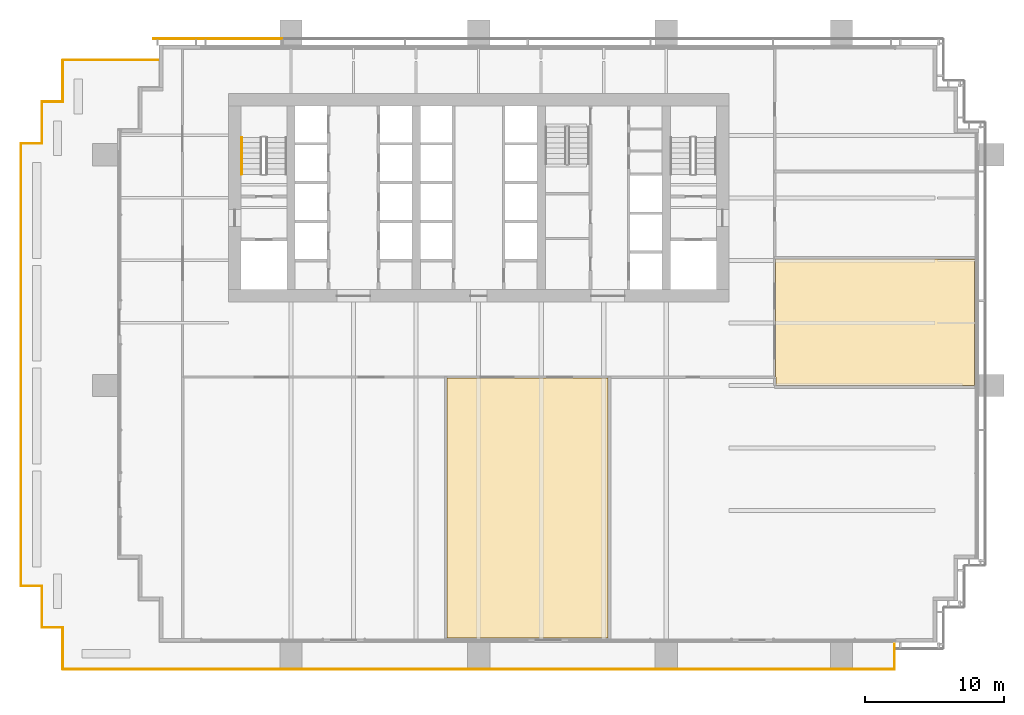
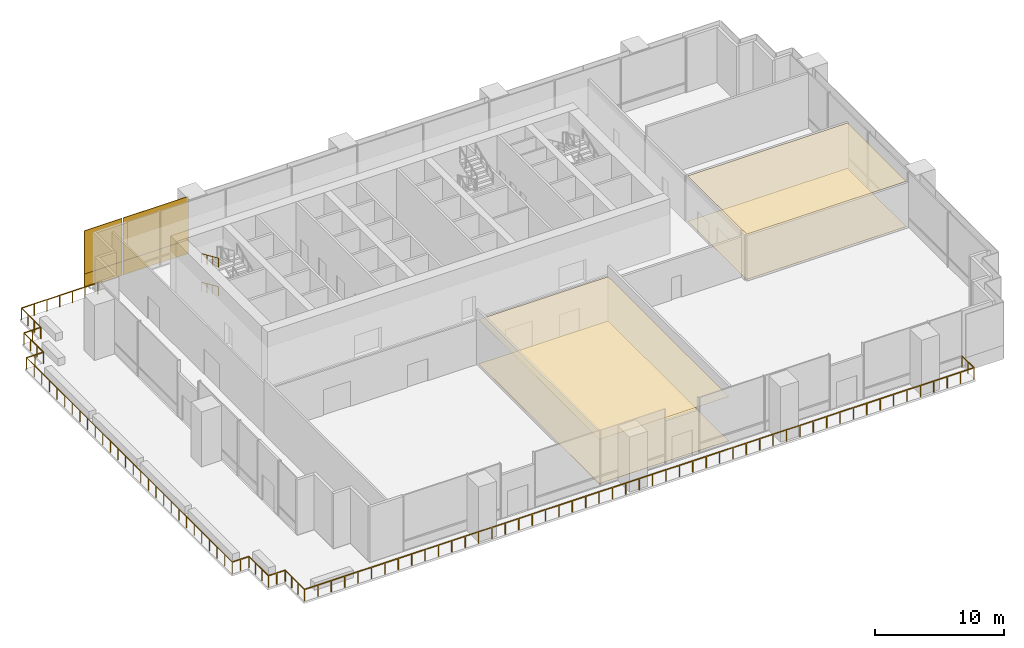
# One storey, part 11 of 15: 14 railings, 8 coverings.
"""IFC4 building model written with IfcOpenShell, lengths in metres."""

from ifc_helpers import new_model, si_unit, direction, frame, origin, origin_2d, place, context, subcontext, project, spatial, polyline, rectangle, outline, extrude, material, layer, layer_set, type_object, element, save


model = new_model("IFC4")

# Units and contexts
model_context = context("Model", 3, precision=1e-05, world=origin(), true_north=direction((0.0, 1.0)))
body_context = subcontext(model_context, "Body", "Model", "MODEL_VIEW")
ifc_project = project(units=[si_unit("LENGTHUNIT", "METRE"), si_unit("AREAUNIT", "SQUARE_METRE"), si_unit("VOLUMEUNIT", "CUBIC_METRE"), si_unit("PLANEANGLEUNIT", "RADIAN"), si_unit("MASSUNIT", "GRAM", prefix="KILO")], contexts=[model_context])

# Site, building, storey
site_placement = place(None, origin())
site = spatial("IfcSite", under=ifc_project, at=site_placement, CompositionType="ELEMENT")
building_placement = place(site_placement, origin())
building = spatial("IfcBuilding", under=site, at=building_placement, Name="Rattan Terrace Tower", CompositionType="ELEMENT")
storey_placement = place(building_placement, frame((0.0, 0.0, 74.300048828125)))
storey = spatial("IfcBuildingStorey", under=building, at=storey_placement, Name="L16", CompositionType="ELEMENT", Elevation=74.300048828125)

# Railings
ifc_material_1 = material(Name="Powder-coated steel handrail", Category="steel")
railing_type_1 = type_object("IfcRailingType", Name="Core stair handrail", PredefinedType="HANDRAIL", material=ifc_material_1)
for number, where, name in (
    (1, (-17.050048828125, 4.360107421875, 1.518798828125), "L16 S1 stair handrail 2"),
    (2, (-17.050048828125, 4.360107421875, 4.21875), "L16 S1 stair handrail 4"),
):
    element("IfcRailing", number, at=place(storey_placement, frame(where)), inside=storey, type_object=railing_type_1, Name=name, PredefinedType="HANDRAIL", context=body_context, shape_type="SweptSolid", body=[
        extrude(rectangle(XDim=0.048095703125, YDim=0.048095703125, at=origin_2d()), frame((0.0, 0.0, 0.8759765625), z_axis=(0.0, -0.913956766905, 0.405811567391), x_axis=(1.0, 0.0, 0.0)), (0.0, 0.0, 1.0), 2.91064453125),
        extrude(rectangle(XDim=0.0419921875, YDim=0.0419921875, at=origin_2d()), origin(), (0.0, 0.0, 1.0), 0.851806640625),
        extrude(rectangle(XDim=0.0419921875, YDim=0.0419921875, at=origin_2d()), frame((0.0, -0.88671875, 0.393798828125)), (0.0, 0.0, 1.0), 0.851806640625),
        extrude(rectangle(XDim=0.0419921875, YDim=0.0419921875, at=origin_2d()), frame((0.0, -1.7734375, 0.787353515625)), (0.0, 0.0, 1.0), 0.851806640625),
        extrude(rectangle(XDim=0.0419921875, YDim=0.0419921875, at=origin_2d()), frame((0.0, -2.66015625, 1.18115234375)), (0.0, 0.0, 1.0), 0.851806640625),
    ])
ifc_material_2 = material(Name="Stainless steel 316", Category="steel")
railing_type_2 = type_object("IfcRailingType", Name="Facade Guard 1100", PredefinedType="GUARDRAIL", material=ifc_material_2)
railing_1_placement = place(storey_placement, frame((29.919921875, -32.0849609375, 0.0)))
element("IfcRailing", 3, at=railing_1_placement, inside=storey, type_object=railing_type_2, Name="Terrace guard L16-1-1", PredefinedType="GUARDRAIL", context=body_context, shape_type="SweptSolid", body=[
    extrude(rectangle(XDim=0.048095703125, YDim=0.048095703125, at=origin_2d()), frame((0.0, 0.0, 1.076171875), z_axis=(0.0, -1.0, 0.0), x_axis=(1.0, 0.0, 0.0)), (0.0, 0.0, 1.0), 1.8349609375),
    extrude(rectangle(XDim=0.0419921875, YDim=0.0419921875, at=origin_2d()), origin(), (0.0, 0.0, 1.0), 1.052001953125),
    extrude(rectangle(XDim=0.0419921875, YDim=0.0419921875, at=origin_2d()), frame((0.0, -0.91748046875, 0.0)), (0.0, 0.0, 1.0), 1.052001953125),
])
railing_2_placement = place(storey_placement, frame((29.919921875, -33.919921875, 0.0)))
element("IfcRailing", 4, at=railing_2_placement, inside=storey, type_object=railing_type_2, Name="Terrace guard L16-1-2", PredefinedType="GUARDRAIL", context=body_context, shape_type="SweptSolid", body=[
    extrude(rectangle(XDim=0.048095703125, YDim=0.048095703125, at=origin_2d()), frame((0.0, 0.0, 1.076171875), z_axis=(-1.0, 0.0, 0.0), x_axis=(0.0, -1.0, 0.0)), (0.0, 0.0, 1.0), 59.83984375),
    extrude(rectangle(XDim=0.0419921875, YDim=0.0419921875, at=origin_2d()), origin(), (0.0, 0.0, 1.0), 1.052001953125),
    extrude(rectangle(XDim=0.0419921875, YDim=0.0419921875, at=origin_2d()), frame((-1.19677734375, 0.0, 0.0)), (0.0, 0.0, 1.0), 1.052001953125),
    extrude(rectangle(XDim=0.0419921875, YDim=0.0419921875, at=origin_2d()), frame((-2.3935546875, 0.0, 0.0)), (0.0, 0.0, 1.0), 1.052001953125),
    extrude(rectangle(XDim=0.0419921875, YDim=0.0419921875, at=origin_2d()), frame((-3.59033203125, 0.0, 0.0)), (0.0, 0.0, 1.0), 1.052001953125),
    extrude(rectangle(XDim=0.0419921875, YDim=0.0419921875, at=origin_2d()), frame((-4.787109375, 0.0, 0.0)), (0.0, 0.0, 1.0), 1.052001953125),
    extrude(rectangle(XDim=0.0419921875, YDim=0.0419921875, at=origin_2d()), frame((-5.98388671875, 0.0, 0.0)), (0.0, 0.0, 1.0), 1.052001953125),
    extrude(rectangle(XDim=0.0419921875, YDim=0.0419921875, at=origin_2d()), frame((-7.1806640625, 0.0, 0.0)), (0.0, 0.0, 1.0), 1.052001953125),
    extrude(rectangle(XDim=0.0419921875, YDim=0.0419921875, at=origin_2d()), frame((-8.377685546875, 0.0, 0.0)), (0.0, 0.0, 1.0), 1.052001953125),
    extrude(rectangle(XDim=0.0419921875, YDim=0.0419921875, at=origin_2d()), frame((-9.574462890625, 0.0, 0.0)), (0.0, 0.0, 1.0), 1.052001953125),
    extrude(rectangle(XDim=0.0419921875, YDim=0.0419921875, at=origin_2d()), frame((-10.771240234375, 0.0, 0.0)), (0.0, 0.0, 1.0), 1.052001953125),
    extrude(rectangle(XDim=0.0419921875, YDim=0.0419921875, at=origin_2d()), frame((-11.968017578125, 0.0, 0.0)), (0.0, 0.0, 1.0), 1.052001953125),
    extrude(rectangle(XDim=0.0419921875, YDim=0.0419921875, at=origin_2d()), frame((-13.164794921875, 0.0, 0.0)), (0.0, 0.0, 1.0), 1.052001953125),
    extrude(rectangle(XDim=0.0419921875, YDim=0.0419921875, at=origin_2d()), frame((-14.361572265625, 0.0, 0.0)), (0.0, 0.0, 1.0), 1.052001953125),
    extrude(rectangle(XDim=0.0419921875, YDim=0.0419921875, at=origin_2d()), frame((-15.558349609375, 0.0, 0.0)), (0.0, 0.0, 1.0), 1.052001953125),
    extrude(rectangle(XDim=0.0419921875, YDim=0.0419921875, at=origin_2d()), frame((-16.755126953125, 0.0, 0.0)), (0.0, 0.0, 1.0), 1.052001953125),
    extrude(rectangle(XDim=0.0419921875, YDim=0.0419921875, at=origin_2d()), frame((-17.951904296875, 0.0, 0.0)), (0.0, 0.0, 1.0), 1.052001953125),
    extrude(rectangle(XDim=0.0419921875, YDim=0.0419921875, at=origin_2d()), frame((-19.148681640625, 0.0, 0.0)), (0.0, 0.0, 1.0), 1.052001953125),
    extrude(rectangle(XDim=0.0419921875, YDim=0.0419921875, at=origin_2d()), frame((-20.345458984375, 0.0, 0.0)), (0.0, 0.0, 1.0), 1.052001953125),
    extrude(rectangle(XDim=0.0419921875, YDim=0.0419921875, at=origin_2d()), frame((-21.542236328125, 0.0, 0.0)), (0.0, 0.0, 1.0), 1.052001953125),
    extrude(rectangle(XDim=0.0419921875, YDim=0.0419921875, at=origin_2d()), frame((-22.7392578125, 0.0, 0.0)), (0.0, 0.0, 1.0), 1.052001953125),
    extrude(rectangle(XDim=0.0419921875, YDim=0.0419921875, at=origin_2d()), frame((-23.93603515625, 0.0, 0.0)), (0.0, 0.0, 1.0), 1.052001953125),
    extrude(rectangle(XDim=0.0419921875, YDim=0.0419921875, at=origin_2d()), frame((-25.1328125, 0.0, 0.0)), (0.0, 0.0, 1.0), 1.052001953125),
    extrude(rectangle(XDim=0.0419921875, YDim=0.0419921875, at=origin_2d()), frame((-26.32958984375, 0.0, 0.0)), (0.0, 0.0, 1.0), 1.052001953125),
    extrude(rectangle(XDim=0.0419921875, YDim=0.0419921875, at=origin_2d()), frame((-27.5263671875, 0.0, 0.0)), (0.0, 0.0, 1.0), 1.052001953125),
    extrude(rectangle(XDim=0.0419921875, YDim=0.0419921875, at=origin_2d()), frame((-28.72314453125, 0.0, 0.0)), (0.0, 0.0, 1.0), 1.052001953125),
    extrude(rectangle(XDim=0.0419921875, YDim=0.0419921875, at=origin_2d()), frame((-29.919921875, 0.0, 0.0)), (0.0, 0.0, 1.0), 1.052001953125),
    extrude(rectangle(XDim=0.0419921875, YDim=0.0419921875, at=origin_2d()), frame((-31.11669921875, 0.0, 0.0)), (0.0, 0.0, 1.0), 1.052001953125),
    extrude(rectangle(XDim=0.0419921875, YDim=0.0419921875, at=origin_2d()), frame((-32.3134765625, 0.0, 0.0)), (0.0, 0.0, 1.0), 1.052001953125),
    extrude(rectangle(XDim=0.0419921875, YDim=0.0419921875, at=origin_2d()), frame((-33.51025390625, 0.0, 0.0)), (0.0, 0.0, 1.0), 1.052001953125),
    extrude(rectangle(XDim=0.0419921875, YDim=0.0419921875, at=origin_2d()), frame((-34.70703125, 0.0, 0.0)), (0.0, 0.0, 1.0), 1.052001953125),
    extrude(rectangle(XDim=0.0419921875, YDim=0.0419921875, at=origin_2d()), frame((-35.90380859375, 0.0, 0.0)), (0.0, 0.0, 1.0), 1.052001953125),
    extrude(rectangle(XDim=0.0419921875, YDim=0.0419921875, at=origin_2d()), frame((-37.1005859375, 0.0, 0.0)), (0.0, 0.0, 1.0), 1.052001953125),
    extrude(rectangle(XDim=0.0419921875, YDim=0.0419921875, at=origin_2d()), frame((-38.297607421875, 0.0, 0.0)), (0.0, 0.0, 1.0), 1.052001953125),
    extrude(rectangle(XDim=0.0419921875, YDim=0.0419921875, at=origin_2d()), frame((-39.494384765625, 0.0, 0.0)), (0.0, 0.0, 1.0), 1.052001953125),
    extrude(rectangle(XDim=0.0419921875, YDim=0.0419921875, at=origin_2d()), frame((-40.691162109375, 0.0, 0.0)), (0.0, 0.0, 1.0), 1.052001953125),
    extrude(rectangle(XDim=0.0419921875, YDim=0.0419921875, at=origin_2d()), frame((-41.887939453125, 0.0, 0.0)), (0.0, 0.0, 1.0), 1.052001953125),
    extrude(rectangle(XDim=0.0419921875, YDim=0.0419921875, at=origin_2d()), frame((-43.084716796875, 0.0, 0.0)), (0.0, 0.0, 1.0), 1.052001953125),
    extrude(rectangle(XDim=0.0419921875, YDim=0.0419921875, at=origin_2d()), frame((-44.281494140625, 0.0, 0.0)), (0.0, 0.0, 1.0), 1.052001953125),
    extrude(rectangle(XDim=0.0419921875, YDim=0.0419921875, at=origin_2d()), frame((-45.478271484375, 0.0, 0.0)), (0.0, 0.0, 1.0), 1.052001953125),
    extrude(rectangle(XDim=0.0419921875, YDim=0.0419921875, at=origin_2d()), frame((-46.675048828125, 0.0, 0.0)), (0.0, 0.0, 1.0), 1.052001953125),
    extrude(rectangle(XDim=0.0419921875, YDim=0.0419921875, at=origin_2d()), frame((-47.871826171875, 0.0, 0.0)), (0.0, 0.0, 1.0), 1.052001953125),
    extrude(rectangle(XDim=0.0419921875, YDim=0.0419921875, at=origin_2d()), frame((-49.068603515625, 0.0, 0.0)), (0.0, 0.0, 1.0), 1.052001953125),
    extrude(rectangle(XDim=0.0419921875, YDim=0.0419921875, at=origin_2d()), frame((-50.265380859375, 0.0, 0.0)), (0.0, 0.0, 1.0), 1.052001953125),
    extrude(rectangle(XDim=0.0419921875, YDim=0.0419921875, at=origin_2d()), frame((-51.462158203125, 0.0, 0.0)), (0.0, 0.0, 1.0), 1.052001953125),
    extrude(rectangle(XDim=0.0419921875, YDim=0.0419921875, at=origin_2d()), frame((-52.6591796875, 0.0, 0.0)), (0.0, 0.0, 1.0), 1.052001953125),
    extrude(rectangle(XDim=0.0419921875, YDim=0.0419921875, at=origin_2d()), frame((-53.85595703125, 0.0, 0.0)), (0.0, 0.0, 1.0), 1.052001953125),
    extrude(rectangle(XDim=0.0419921875, YDim=0.0419921875, at=origin_2d()), frame((-55.052734375, 0.0, 0.0)), (0.0, 0.0, 1.0), 1.052001953125),
    extrude(rectangle(XDim=0.0419921875, YDim=0.0419921875, at=origin_2d()), frame((-56.24951171875, 0.0, 0.0)), (0.0, 0.0, 1.0), 1.052001953125),
    extrude(rectangle(XDim=0.0419921875, YDim=0.0419921875, at=origin_2d()), frame((-57.4462890625, 0.0, 0.0)), (0.0, 0.0, 1.0), 1.052001953125),
    extrude(rectangle(XDim=0.0419921875, YDim=0.0419921875, at=origin_2d()), frame((-58.64306640625, 0.0, 0.0)), (0.0, 0.0, 1.0), 1.052001953125),
])
railing_3_placement = place(storey_placement, frame((-29.919921875, -33.919921875, 0.0)))
element("IfcRailing", 5, at=railing_3_placement, inside=storey, type_object=railing_type_2, Name="Terrace guard L16-1-3", PredefinedType="GUARDRAIL", context=body_context, shape_type="SweptSolid", body=[
    extrude(rectangle(XDim=0.048095703125, YDim=0.048095703125, at=origin_2d()), frame((0.0, 0.0, 1.076171875), z_axis=(0.0, 1.0, 0.0), x_axis=(-1.0, 0.0, 0.0)), (0.0, 0.0, 1.0), 3.0),
    extrude(rectangle(XDim=0.0419921875, YDim=0.0419921875, at=origin_2d()), origin(), (0.0, 0.0, 1.0), 1.052001953125),
    extrude(rectangle(XDim=0.0419921875, YDim=0.0419921875, at=origin_2d()), frame((0.0, 1.0, 0.0)), (0.0, 0.0, 1.0), 1.052001953125),
    extrude(rectangle(XDim=0.0419921875, YDim=0.0419921875, at=origin_2d()), frame((0.0, 2.0, 0.0)), (0.0, 0.0, 1.0), 1.052001953125),
])
railing_4_placement = place(storey_placement, frame((-29.919921875, -30.919921875, 0.0)))
element("IfcRailing", 6, at=railing_4_placement, inside=storey, type_object=railing_type_2, Name="Terrace guard L16-1-4", PredefinedType="GUARDRAIL", context=body_context, shape_type="SweptSolid", body=[
    extrude(rectangle(XDim=0.048095703125, YDim=0.048095703125, at=origin_2d()), frame((0.0, 0.0, 1.076171875), z_axis=(-1.0, 0.0, 0.0), x_axis=(0.0, -1.0, 0.0)), (0.0, 0.0, 1.0), 1.5),
    extrude(rectangle(XDim=0.0419921875, YDim=0.0419921875, at=origin_2d()), origin(), (0.0, 0.0, 1.0), 1.052001953125),
    extrude(rectangle(XDim=0.0419921875, YDim=0.0419921875, at=origin_2d()), frame((-0.75, 0.0, 0.0)), (0.0, 0.0, 1.0), 1.052001953125),
])
railing_5_placement = place(storey_placement, frame((-31.419921875, -30.919921875, 0.0)))
element("IfcRailing", 7, at=railing_5_placement, inside=storey, type_object=railing_type_2, Name="Terrace guard L16-1-5", PredefinedType="GUARDRAIL", context=body_context, shape_type="SweptSolid", body=[
    extrude(rectangle(XDim=0.048095703125, YDim=0.048095703125, at=origin_2d()), frame((0.0, 0.0, 1.076171875), z_axis=(0.0, 1.0, 0.0), x_axis=(-1.0, 0.0, 0.0)), (0.0, 0.0, 1.0), 3.0),
    extrude(rectangle(XDim=0.0419921875, YDim=0.0419921875, at=origin_2d()), origin(), (0.0, 0.0, 1.0), 1.052001953125),
    extrude(rectangle(XDim=0.0419921875, YDim=0.0419921875, at=origin_2d()), frame((0.0, 1.0, 0.0)), (0.0, 0.0, 1.0), 1.052001953125),
    extrude(rectangle(XDim=0.0419921875, YDim=0.0419921875, at=origin_2d()), frame((0.0, 2.0, 0.0)), (0.0, 0.0, 1.0), 1.052001953125),
])
railing_6_placement = place(storey_placement, frame((-31.419921875, -27.919921875, 0.0)))
element("IfcRailing", 8, at=railing_6_placement, inside=storey, type_object=railing_type_2, Name="Terrace guard L16-1-6", PredefinedType="GUARDRAIL", context=body_context, shape_type="SweptSolid", body=[
    extrude(rectangle(XDim=0.048095703125, YDim=0.048095703125, at=origin_2d()), frame((0.0, 0.0, 1.076171875), z_axis=(-1.0, 0.0, 0.0), x_axis=(0.0, -1.0, 0.0)), (0.0, 0.0, 1.0), 1.5),
    extrude(rectangle(XDim=0.0419921875, YDim=0.0419921875, at=origin_2d()), origin(), (0.0, 0.0, 1.0), 1.052001953125),
    extrude(rectangle(XDim=0.0419921875, YDim=0.0419921875, at=origin_2d()), frame((-0.75, 0.0, 0.0)), (0.0, 0.0, 1.0), 1.052001953125),
])
railing_7_placement = place(storey_placement, frame((-32.919921875, -27.919921875, 0.0)))
element("IfcRailing", 9, at=railing_7_placement, inside=storey, type_object=railing_type_2, Name="Terrace guard L16-1-7", PredefinedType="GUARDRAIL", context=body_context, shape_type="SweptSolid", body=[
    extrude(rectangle(XDim=0.048095703125, YDim=0.048095703125, at=origin_2d()), frame((0.0, 0.0, 1.076171875), z_axis=(0.0, 1.0, 0.0), x_axis=(-1.0, 0.0, 0.0)), (0.0, 0.0, 1.0), 31.83984375),
    extrude(rectangle(XDim=0.0419921875, YDim=0.0419921875, at=origin_2d()), origin(), (0.0, 0.0, 1.0), 1.052001953125),
    extrude(rectangle(XDim=0.0419921875, YDim=0.0419921875, at=origin_2d()), frame((0.0, 1.17919921875, 0.0)), (0.0, 0.0, 1.0), 1.052001953125),
    extrude(rectangle(XDim=0.0419921875, YDim=0.0419921875, at=origin_2d()), frame((0.0, 2.3583984375, 0.0)), (0.0, 0.0, 1.0), 1.052001953125),
    extrude(rectangle(XDim=0.0419921875, YDim=0.0419921875, at=origin_2d()), frame((0.0, 3.537841796875, 0.0)), (0.0, 0.0, 1.0), 1.052001953125),
    extrude(rectangle(XDim=0.0419921875, YDim=0.0419921875, at=origin_2d()), frame((0.0, 4.717041015625, 0.0)), (0.0, 0.0, 1.0), 1.052001953125),
    extrude(rectangle(XDim=0.0419921875, YDim=0.0419921875, at=origin_2d()), frame((0.0, 5.896240234375, 0.0)), (0.0, 0.0, 1.0), 1.052001953125),
    extrude(rectangle(XDim=0.0419921875, YDim=0.0419921875, at=origin_2d()), frame((0.0, 7.075439453125, 0.0)), (0.0, 0.0, 1.0), 1.052001953125),
    extrude(rectangle(XDim=0.0419921875, YDim=0.0419921875, at=origin_2d()), frame((0.0, 8.2548828125, 0.0)), (0.0, 0.0, 1.0), 1.052001953125),
    extrude(rectangle(XDim=0.0419921875, YDim=0.0419921875, at=origin_2d()), frame((0.0, 9.43408203125, 0.0)), (0.0, 0.0, 1.0), 1.052001953125),
    extrude(rectangle(XDim=0.0419921875, YDim=0.0419921875, at=origin_2d()), frame((0.0, 10.61328125, 0.0)), (0.0, 0.0, 1.0), 1.052001953125),
    extrude(rectangle(XDim=0.0419921875, YDim=0.0419921875, at=origin_2d()), frame((0.0, 11.79248046875, 0.0)), (0.0, 0.0, 1.0), 1.052001953125),
    extrude(rectangle(XDim=0.0419921875, YDim=0.0419921875, at=origin_2d()), frame((0.0, 12.9716796875, 0.0)), (0.0, 0.0, 1.0), 1.052001953125),
    extrude(rectangle(XDim=0.0419921875, YDim=0.0419921875, at=origin_2d()), frame((0.0, 14.151123046875, 0.0)), (0.0, 0.0, 1.0), 1.052001953125),
    extrude(rectangle(XDim=0.0419921875, YDim=0.0419921875, at=origin_2d()), frame((0.0, 15.330322265625, 0.0)), (0.0, 0.0, 1.0), 1.052001953125),
    extrude(rectangle(XDim=0.0419921875, YDim=0.0419921875, at=origin_2d()), frame((0.0, 16.509521484375, 0.0)), (0.0, 0.0, 1.0), 1.052001953125),
    extrude(rectangle(XDim=0.0419921875, YDim=0.0419921875, at=origin_2d()), frame((0.0, 17.688720703125, 0.0)), (0.0, 0.0, 1.0), 1.052001953125),
    extrude(rectangle(XDim=0.0419921875, YDim=0.0419921875, at=origin_2d()), frame((0.0, 18.8681640625, 0.0)), (0.0, 0.0, 1.0), 1.052001953125),
    extrude(rectangle(XDim=0.0419921875, YDim=0.0419921875, at=origin_2d()), frame((0.0, 20.04736328125, 0.0)), (0.0, 0.0, 1.0), 1.052001953125),
    extrude(rectangle(XDim=0.0419921875, YDim=0.0419921875, at=origin_2d()), frame((0.0, 21.2265625, 0.0)), (0.0, 0.0, 1.0), 1.052001953125),
    extrude(rectangle(XDim=0.0419921875, YDim=0.0419921875, at=origin_2d()), frame((0.0, 22.40576171875, 0.0)), (0.0, 0.0, 1.0), 1.052001953125),
    extrude(rectangle(XDim=0.0419921875, YDim=0.0419921875, at=origin_2d()), frame((0.0, 23.5849609375, 0.0)), (0.0, 0.0, 1.0), 1.052001953125),
    extrude(rectangle(XDim=0.0419921875, YDim=0.0419921875, at=origin_2d()), frame((0.0, 24.764404296875, 0.0)), (0.0, 0.0, 1.0), 1.052001953125),
    extrude(rectangle(XDim=0.0419921875, YDim=0.0419921875, at=origin_2d()), frame((0.0, 25.943603515625, 0.0)), (0.0, 0.0, 1.0), 1.052001953125),
    extrude(rectangle(XDim=0.0419921875, YDim=0.0419921875, at=origin_2d()), frame((0.0, 27.122802734375, 0.0)), (0.0, 0.0, 1.0), 1.052001953125),
    extrude(rectangle(XDim=0.0419921875, YDim=0.0419921875, at=origin_2d()), frame((0.0, 28.302001953125, 0.0)), (0.0, 0.0, 1.0), 1.052001953125),
    extrude(rectangle(XDim=0.0419921875, YDim=0.0419921875, at=origin_2d()), frame((0.0, 29.4814453125, 0.0)), (0.0, 0.0, 1.0), 1.052001953125),
    extrude(rectangle(XDim=0.0419921875, YDim=0.0419921875, at=origin_2d()), frame((0.0, 30.66064453125, 0.0)), (0.0, 0.0, 1.0), 1.052001953125),
])
railing_8_placement = place(storey_placement, frame((-32.919921875, 3.919921875, 0.0)))
element("IfcRailing", 10, at=railing_8_placement, inside=storey, type_object=railing_type_2, Name="Terrace guard L16-1-8", PredefinedType="GUARDRAIL", context=body_context, shape_type="SweptSolid", body=[
    extrude(rectangle(XDim=0.048095703125, YDim=0.048095703125, at=origin_2d()), frame((0.0, 0.0, 1.076171875), z_axis=(1.0, 0.0, 0.0), x_axis=(0.0, 1.0, 0.0)), (0.0, 0.0, 1.0), 1.5),
    extrude(rectangle(XDim=0.0419921875, YDim=0.0419921875, at=origin_2d()), origin(), (0.0, 0.0, 1.0), 1.052001953125),
    extrude(rectangle(XDim=0.0419921875, YDim=0.0419921875, at=origin_2d()), frame((0.75, 0.0, 0.0)), (0.0, 0.0, 1.0), 1.052001953125),
])
railing_9_placement = place(storey_placement, frame((-31.419921875, 3.919921875, 0.0)))
element("IfcRailing", 11, at=railing_9_placement, inside=storey, type_object=railing_type_2, Name="Terrace guard L16-1-9", PredefinedType="GUARDRAIL", context=body_context, shape_type="SweptSolid", body=[
    extrude(rectangle(XDim=0.048095703125, YDim=0.048095703125, at=origin_2d()), frame((0.0, 0.0, 1.076171875), z_axis=(0.0, 1.0, 0.0), x_axis=(-1.0, 0.0, 0.0)), (0.0, 0.0, 1.0), 3.0),
    extrude(rectangle(XDim=0.0419921875, YDim=0.0419921875, at=origin_2d()), origin(), (0.0, 0.0, 1.0), 1.052001953125),
    extrude(rectangle(XDim=0.0419921875, YDim=0.0419921875, at=origin_2d()), frame((0.0, 1.0, 0.0)), (0.0, 0.0, 1.0), 1.052001953125),
    extrude(rectangle(XDim=0.0419921875, YDim=0.0419921875, at=origin_2d()), frame((0.0, 2.0, 0.0)), (0.0, 0.0, 1.0), 1.052001953125),
])
railing_10_placement = place(storey_placement, frame((-31.419921875, 6.919921875, 0.0)))
element("IfcRailing", 12, at=railing_10_placement, inside=storey, type_object=railing_type_2, Name="Terrace guard L16-1-10", PredefinedType="GUARDRAIL", context=body_context, shape_type="SweptSolid", body=[
    extrude(rectangle(XDim=0.048095703125, YDim=0.048095703125, at=origin_2d()), frame((0.0, 0.0, 1.076171875), z_axis=(1.0, 0.0, 0.0), x_axis=(0.0, 1.0, 0.0)), (0.0, 0.0, 1.0), 1.5),
    extrude(rectangle(XDim=0.0419921875, YDim=0.0419921875, at=origin_2d()), origin(), (0.0, 0.0, 1.0), 1.052001953125),
    extrude(rectangle(XDim=0.0419921875, YDim=0.0419921875, at=origin_2d()), frame((0.75, 0.0, 0.0)), (0.0, 0.0, 1.0), 1.052001953125),
])
railing_11_placement = place(storey_placement, frame((-29.919921875, 6.919921875, 0.0)))
element("IfcRailing", 13, at=railing_11_placement, inside=storey, type_object=railing_type_2, Name="Terrace guard L16-1-11", PredefinedType="GUARDRAIL", context=body_context, shape_type="SweptSolid", body=[
    extrude(rectangle(XDim=0.048095703125, YDim=0.048095703125, at=origin_2d()), frame((0.0, 0.0, 1.076171875), z_axis=(0.0, 1.0, 0.0), x_axis=(-1.0, 0.0, 0.0)), (0.0, 0.0, 1.0), 3.0),
    extrude(rectangle(XDim=0.0419921875, YDim=0.0419921875, at=origin_2d()), origin(), (0.0, 0.0, 1.0), 1.052001953125),
    extrude(rectangle(XDim=0.0419921875, YDim=0.0419921875, at=origin_2d()), frame((0.0, 1.0, 0.0)), (0.0, 0.0, 1.0), 1.052001953125),
    extrude(rectangle(XDim=0.0419921875, YDim=0.0419921875, at=origin_2d()), frame((0.0, 2.0, 0.0)), (0.0, 0.0, 1.0), 1.052001953125),
])
railing_12_placement = place(storey_placement, frame((-29.919921875, 9.919921875, 0.0)))
element("IfcRailing", 14, at=railing_12_placement, inside=storey, type_object=railing_type_2, Name="Terrace guard L16-1-12", PredefinedType="GUARDRAIL", context=body_context, shape_type="SweptSolid", body=[
    extrude(rectangle(XDim=0.048095703125, YDim=0.048095703125, at=origin_2d()), frame((0.0, 0.0, 1.076171875), z_axis=(1.0, 0.0, 0.0), x_axis=(0.0, 1.0, 0.0)), (0.0, 0.0, 1.0), 6.8349609375),
    extrude(rectangle(XDim=0.0419921875, YDim=0.0419921875, at=origin_2d()), origin(), (0.0, 0.0, 1.0), 1.052001953125),
    extrude(rectangle(XDim=0.0419921875, YDim=0.0419921875, at=origin_2d()), frame((1.13916015625, 0.0, 0.0)), (0.0, 0.0, 1.0), 1.052001953125),
    extrude(rectangle(XDim=0.0419921875, YDim=0.0419921875, at=origin_2d()), frame((2.2783203125, 0.0, 0.0)), (0.0, 0.0, 1.0), 1.052001953125),
    extrude(rectangle(XDim=0.0419921875, YDim=0.0419921875, at=origin_2d()), frame((3.41748046875, 0.0, 0.0)), (0.0, 0.0, 1.0), 1.052001953125),
    extrude(rectangle(XDim=0.0419921875, YDim=0.0419921875, at=origin_2d()), frame((4.556640625, 0.0, 0.0)), (0.0, 0.0, 1.0), 1.052001953125),
    extrude(rectangle(XDim=0.0419921875, YDim=0.0419921875, at=origin_2d()), frame((5.69580078125, 0.0, 0.0)), (0.0, 0.0, 1.0), 1.052001953125),
    extrude(rectangle(XDim=0.0419921875, YDim=0.0419921875, at=origin_2d()), frame((6.8349609375, 0.0, 0.0)), (0.0, 0.0, 1.0), 1.052001953125),
])

# Coverings
ifc_material_3 = material(Name="Solid terracotta", Category="masonry")
ifc_layer_1 = layer(ifc_material_3, 0.06005859375)
ifc_layer_set_1 = layer_set([ifc_layer_1], Name="Facade Terracotta Band Panel")
covering_type_1 = type_object("IfcCoveringType", Name="Facade Terracotta Band Panel", PredefinedType="CLADDING", material=ifc_layer_set_1)
covering_1_placement = place(storey_placement, frame((-17.04248046875, 11.449951171875, -0.18994140625), z_axis=(0.0, 0.0, 1.0), x_axis=(-1.0, 0.0, 0.0)))
element("IfcCovering", 15, at=covering_1_placement, inside=storey, type_object=covering_type_1, Name="OUTER SKIN panel L16-20A", PredefinedType="CLADDING", context=body_context, shape_type="SweptSolid", body=[
    extrude(rectangle(XDim=5.8349609375, YDim=0.06005859375, at=origin_2d()), origin(), (0.0, 0.0, 1.0), 1.300048828125),
])
covering_2_placement = place(storey_placement, frame((-21.72509765625, 11.449951171875, -0.18994140625), z_axis=(0.0, 0.0, 1.0), x_axis=(-1.0, 0.0, 0.0)))
element("IfcCovering", 16, at=covering_2_placement, inside=storey, type_object=covering_type_1, Name="OUTER SKIN panel L16-21A", PredefinedType="CLADDING", context=body_context, shape_type="SweptSolid", body=[
    extrude(rectangle(XDim=3.3701171875, YDim=0.06005859375, at=origin_2d()), origin(), (0.0, 0.0, 1.0), 1.300048828125),
])
ifc_material_4 = material(Name="Perforated terracotta", Category="masonry")
ifc_layer_2 = layer(ifc_material_4, 0.06005859375)
ifc_layer_set_2 = layer_set([ifc_layer_2], Name="Facade Terracotta Screen Panel")
covering_type_2 = type_object("IfcCoveringType", Name="Facade Terracotta Screen Panel", PredefinedType="CLADDING", material=ifc_layer_set_2)
covering_3_placement = place(storey_placement, frame((-17.04248046875, 11.449951171875, 1.10986328125), z_axis=(0.0, 0.0, 1.0), x_axis=(-1.0, 0.0, 0.0)))
element("IfcCovering", 17, at=covering_3_placement, inside=storey, type_object=covering_type_2, Name="OUTER SKIN panel L16-20B", PredefinedType="CLADDING", context=body_context, shape_type="SweptSolid", body=[
    extrude(rectangle(XDim=5.8349609375, YDim=0.06005859375, at=origin_2d()), origin(), (0.0, 0.0, 1.0), 4.080078125),
])
covering_4_placement = place(storey_placement, frame((-21.72509765625, 11.449951171875, 1.10986328125), z_axis=(0.0, 0.0, 1.0), x_axis=(-1.0, 0.0, 0.0)))
element("IfcCovering", 18, at=covering_4_placement, inside=storey, type_object=covering_type_2, Name="OUTER SKIN panel L16-21B", PredefinedType="CLADDING", context=body_context, shape_type="SweptSolid", body=[
    extrude(rectangle(XDim=3.3701171875, YDim=0.06005859375, at=origin_2d()), origin(), (0.0, 0.0, 1.0), 4.080078125),
])
ifc_material_5 = material(Name="Polished limestone", Category="masonry")
ifc_layer_3 = layer(ifc_material_5, 0.02001953125)
ifc_layer_set_3 = layer_set([ifc_layer_3], Name="Lobby Floor Finish Stone 20")
covering_type_3 = type_object("IfcCoveringType", Name="Lobby Floor Finish Stone 20", PredefinedType="FLOORING", material=ifc_layer_set_3)
covering_5_placement = place(storey_placement, origin())
element("IfcCovering", 19, at=covering_5_placement, inside=storey, type_object=covering_type_3, Name="Floor finish L16-103", PredefinedType="FLOORING", context=body_context, shape_type="SweptSolid", body=[
    extrude(outline(polyline([(-2.262939453125, -12.97509765625), (-2.262939453125, -31.659912109375), (9.31201171875, -31.659912109375), (9.31201171875, -12.97509765625), (-2.262939453125, -12.97509765625)])), origin(), (0.0, 0.0, 1.0), 0.02001953125),
])
covering_6_placement = place(storey_placement, origin())
element("IfcCovering", 20, at=covering_6_placement, inside=storey, type_object=covering_type_3, Name="Floor finish L16-106", PredefinedType="FLOORING", context=body_context, shape_type="SweptSolid", body=[
    extrude(outline(polyline([(21.39990234375, -13.5), (35.659912109375, -13.5), (35.659912109375, -4.39990234375), (21.375, -4.39990234375), (21.375, -12.89990234375), (21.39990234375, -12.89990234375), (21.39990234375, -13.5)])), origin(), (0.0, 0.0, 1.0), 0.02001953125),
])
ifc_material_6 = material(Name="Gypsum board, painted")
ifc_layer_4 = layer(ifc_material_6, 0.02490234375)
ifc_layer_set_4 = layer_set([ifc_layer_4], Name="Suspended Ceiling Gypsum 25")
covering_type_4 = type_object("IfcCoveringType", Name="Suspended Ceiling Gypsum 25", PredefinedType="CEILING", material=ifc_layer_set_4)
covering_7_placement = place(storey_placement, frame((0.0, 0.0, 4.175048828125)))
element("IfcCovering", 21, at=covering_7_placement, inside=storey, type_object=covering_type_4, Name="Ceiling L16-103", PredefinedType="CEILING", context=body_context, shape_type="SweptSolid", body=[
    extrude(outline(polyline([(-2.262939453125, -12.97509765625), (-2.262939453125, -31.659912109375), (9.31201171875, -31.659912109375), (9.31201171875, -12.97509765625), (-2.262939453125, -12.97509765625)])), origin(), (0.0, 0.0, 1.0), 0.02490234375),
])
covering_8_placement = place(storey_placement, frame((0.0, 0.0, 4.27490234375)))
element("IfcCovering", 22, at=covering_8_placement, inside=storey, type_object=covering_type_4, Name="Ceiling L16-106", PredefinedType="CEILING", context=body_context, shape_type="SweptSolid", body=[
    extrude(outline(polyline([(21.39990234375, -13.5), (35.659912109375, -13.5), (35.659912109375, -4.39990234375), (21.375, -4.39990234375), (21.375, -12.89990234375), (21.39990234375, -12.89990234375), (21.39990234375, -13.5)])), origin(), (0.0, 0.0, 1.0), 0.025146484375),
])

save(model, "model.ifc")
